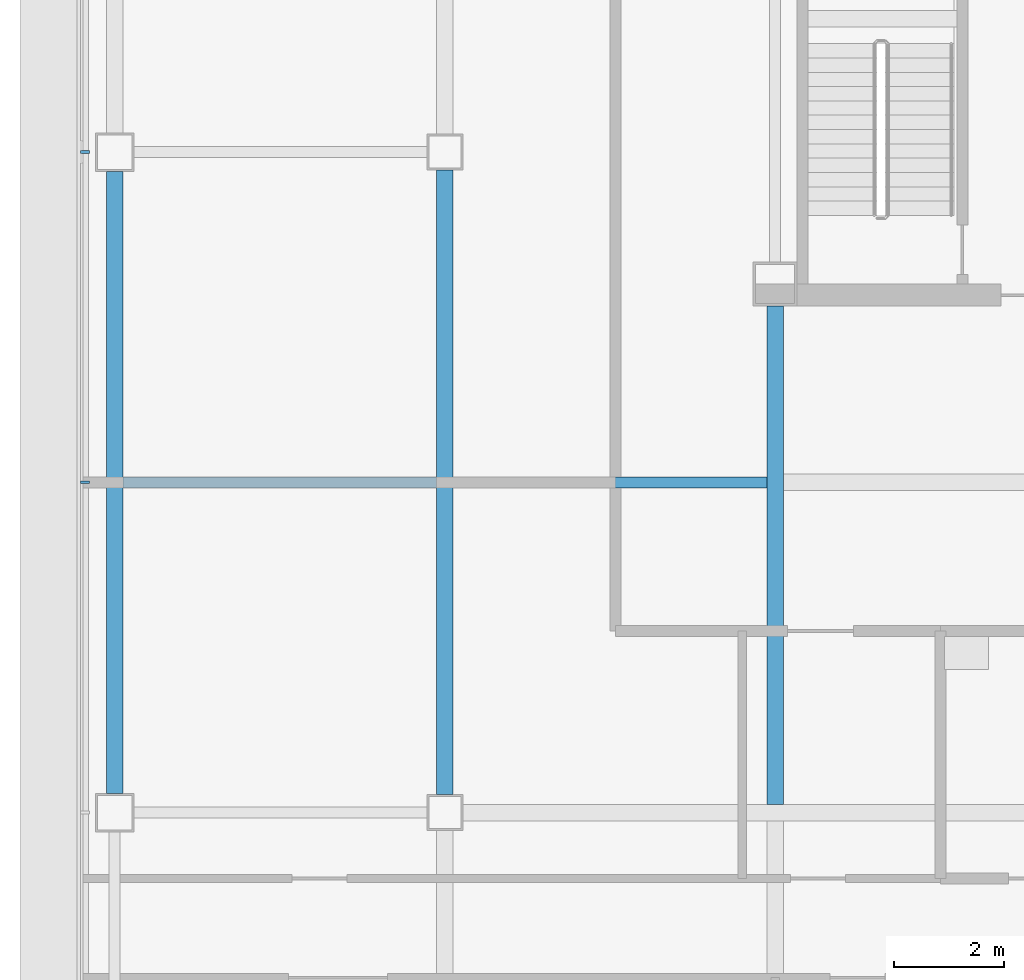
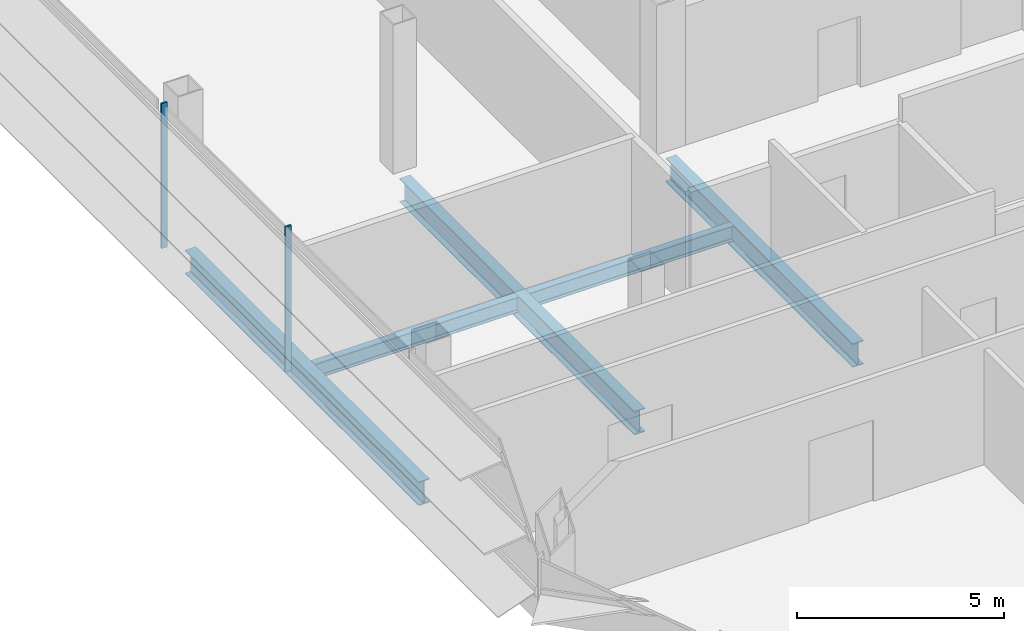
# One storey, part 4 of 26: 5 beams, 2 members, 1 element without a shape of its own.
"""IFC4 building model written with IfcOpenShell, lengths in metres."""

from ifc_helpers import new_model, si_unit, direction, frame, origin, origin_2d, place, context, subcontext, project, spatial, rectangle, i_section, extrude, material, material_profile, profile_set, type_object, element, aggregate, save


model = new_model("IFC4")

# Units and contexts
model_context = context("Model", 3, precision=1e-05, world=origin(), true_north=direction((0.0, 1.0)))
body_context = subcontext(model_context, "Body", "Model", "MODEL_VIEW")
ifc_project = project(units=[si_unit("LENGTHUNIT", "METRE"), si_unit("AREAUNIT", "SQUARE_METRE"), si_unit("VOLUMEUNIT", "CUBIC_METRE"), si_unit("PLANEANGLEUNIT", "RADIAN"), si_unit("MASSUNIT", "GRAM", prefix="KILO")], contexts=[model_context])

# Site, building, storey
site_placement = place(None, origin())
site = spatial("IfcSite", under=ifc_project, at=site_placement, CompositionType="ELEMENT")
building_placement = place(site_placement, origin())
building = spatial("IfcBuilding", under=site, at=building_placement, Name="Sorahane Residences", CompositionType="ELEMENT")
storey_placement = place(building_placement, frame((0.0, 0.0, 181.60009765625)))
storey = spatial("IfcBuildingStorey", under=building, at=storey_placement, Name="L42", CompositionType="ELEMENT", Elevation=181.60009765625)

# Curtain wall, members
ifc_material_1 = material(Name="Dark low-e glass and black anodised aluminium", Category="aluminium")
curtain_wall_type = type_object("IfcCurtainWallType", Name="Curtain wall CW-1 Typical unitised wall", PredefinedType="NOTDEFINED", material=ifc_material_1)
curtain_wall_placement = place(storey_placement, origin())
curtain_wall = element("IfcCurtainWall", 1, at=curtain_wall_placement, inside=storey, type_object=curtain_wall_type, Name="CW-1 curtain wall L42 W1", PredefinedType="NOTDEFINED")
ifc_material_2 = material(Name="Black anodised aluminium", Category="aluminium")
ifc_material_profile_1 = material_profile(ifc_material_2, rectangle(XDim=0.159912109375, YDim=0.050048828125, at=origin_2d()), Name="Curtain wall mullion CW-1 black anodised aluminium 50x160")
ifc_profile_set_1 = profile_set([ifc_material_profile_1], Name="Black anodised aluminium")
member_type = type_object("IfcMemberType", Name="Curtain wall mullion CW-1 black anodised aluminium 50x160", PredefinedType="MULLION", material=ifc_profile_set_1)
member_1_placement = place(storey_placement, frame((-6.5400390625, 24.0, -0.18017578125), z_axis=(0.0, 0.0, 1.0), x_axis=(-1.0, 0.0, 0.0)))
member_1 = element("IfcMember", 2, at=member_1_placement, type_object=member_type, Name="CW-1 mullion L42 W1.4", PredefinedType="MULLION", context=body_context, shape_type="SweptSolid", body=[
    extrude(rectangle(XDim=0.159912109375, YDim=0.050048828125, at=origin_2d()), origin(), (0.0, 0.0, 1.0), 4.280029296875),
])
member_2_placement = place(storey_placement, frame((-6.5400390625, 18.0, -0.18017578125), z_axis=(0.0, 0.0, 1.0), x_axis=(-1.0, 0.0, 0.0)))
member_2 = element("IfcMember", 3, at=member_2_placement, type_object=member_type, Name="CW-1 mullion L42 W1.5", PredefinedType="MULLION", context=body_context, shape_type="SweptSolid", body=[
    extrude(rectangle(XDim=0.159912109375, YDim=0.050048828125, at=origin_2d()), origin(), (0.0, 0.0, 1.0), 4.280029296875),
])
aggregate(curtain_wall, [member_1, member_2])

# Beams
ifc_material_3 = material(Name="Steel Q355B", Category="steel")
ifc_material_profile_2 = material_profile(ifc_material_3, i_section(OverallWidth=0.199951171875, OverallDepth=0.449951171875, WebThickness=0.009033203125, FlangeThickness=0.013916015625, FilletRadius=0.02001953125, at=origin_2d()), Name="HN 450x200x9x14")
ifc_profile_set_2 = profile_set([ifc_material_profile_2], Name="Steel Q355B")
beam_type_1 = type_object("IfcBeamType", Name="Steel floor beam HN 450x200x9x14 Q355B", PredefinedType="BEAM", material=ifc_profile_set_2)
for number, where, z_axis, x_axis, name in (
    (4, (-5.85009765625, 18.0, -0.405029296875), (1.0, 0.0, 0.0), (0.0, 1.0, 0.0), "Beam L42 078"),
    (5, (0.14990234375, 18.0, -0.405029296875), (1.0, 0.0, 0.0), (0.0, 1.0, 0.0), "Beam L42 079"),
):
    element("IfcBeam", number, at=place(storey_placement, frame(where, z_axis=z_axis, x_axis=x_axis)), inside=storey, type_object=beam_type_1, Name=name, PredefinedType="BEAM", context=body_context, shape_type="SweptSolid", body=[
        extrude(i_section(OverallWidth=0.199951171875, OverallDepth=0.449951171875, WebThickness=0.009033203125, FlangeThickness=0.013916015625, FilletRadius=0.02001953125, at=origin_2d()), origin(), (0.0, 0.0, 1.0), 5.7001953125),
    ])
ifc_material_4 = material(Name="Steel Q355B", Category="steel")
ifc_material_profile_3 = material_profile(ifc_material_4, i_section(OverallWidth=0.300048828125, OverallDepth=0.699951171875, WebThickness=0.012939453125, FlangeThickness=0.02392578125, FilletRadius=0.028076171875, at=origin_2d()), Name="HN 700x300x13x24")
ifc_profile_set_3 = profile_set([ifc_material_profile_3], Name="Steel Q355B")
beam_type_2 = type_object("IfcBeamType", Name="Steel floor beam HN 700x300x13x24 Q355B", PredefinedType="BEAM", material=ifc_profile_set_3)
beam_1_placement = place(storey_placement, frame((-6.0, 12.35009765625, -0.530029296875), z_axis=(0.0, 1.0, 0.0), x_axis=(-1.0, 0.0, 0.0)))
element("IfcBeam", 6, at=beam_1_placement, inside=storey, type_object=beam_type_2, Name="Beam L42 021", PredefinedType="BEAM", context=body_context, shape_type="SweptSolid", body=[
    extrude(i_section(OverallWidth=0.300048828125, OverallDepth=0.699951171875, WebThickness=0.012939453125, FlangeThickness=0.02392578125, FilletRadius=0.028076171875, at=origin_2d()), origin(), (0.0, 0.0, 1.0), 11.2998046875),
])
beam_2_placement = place(storey_placement, frame((0.0, 12.324951171875, -0.530029296875), z_axis=(0.0, 1.0, 0.0), x_axis=(-1.0, 0.0, 0.0)))
element("IfcBeam", 7, at=beam_2_placement, inside=storey, type_object=beam_type_2, Name="Beam L42 025", PredefinedType="BEAM", context=body_context, shape_type="SweptSolid", body=[
    extrude(i_section(OverallWidth=0.300048828125, OverallDepth=0.699951171875, WebThickness=0.012939453125, FlangeThickness=0.02392578125, FilletRadius=0.028076171875, at=origin_2d()), origin(), (0.0, 0.0, 1.0), 11.35009765625),
])
beam_3_placement = place(storey_placement, frame((6.0, 12.14990234375, -0.530029296875), z_axis=(0.0, 1.0, 0.0), x_axis=(-1.0, 0.0, 0.0)))
element("IfcBeam", 8, at=beam_3_placement, inside=storey, type_object=beam_type_2, Name="Beam L42 029", PredefinedType="BEAM", context=body_context, shape_type="SweptSolid", body=[
    extrude(i_section(OverallWidth=0.300048828125, OverallDepth=0.699951171875, WebThickness=0.012939453125, FlangeThickness=0.02392578125, FilletRadius=0.028076171875, at=origin_2d()), origin(), (0.0, 0.0, 1.0), 9.050048828125),
])

save(model, "model.ifc")
